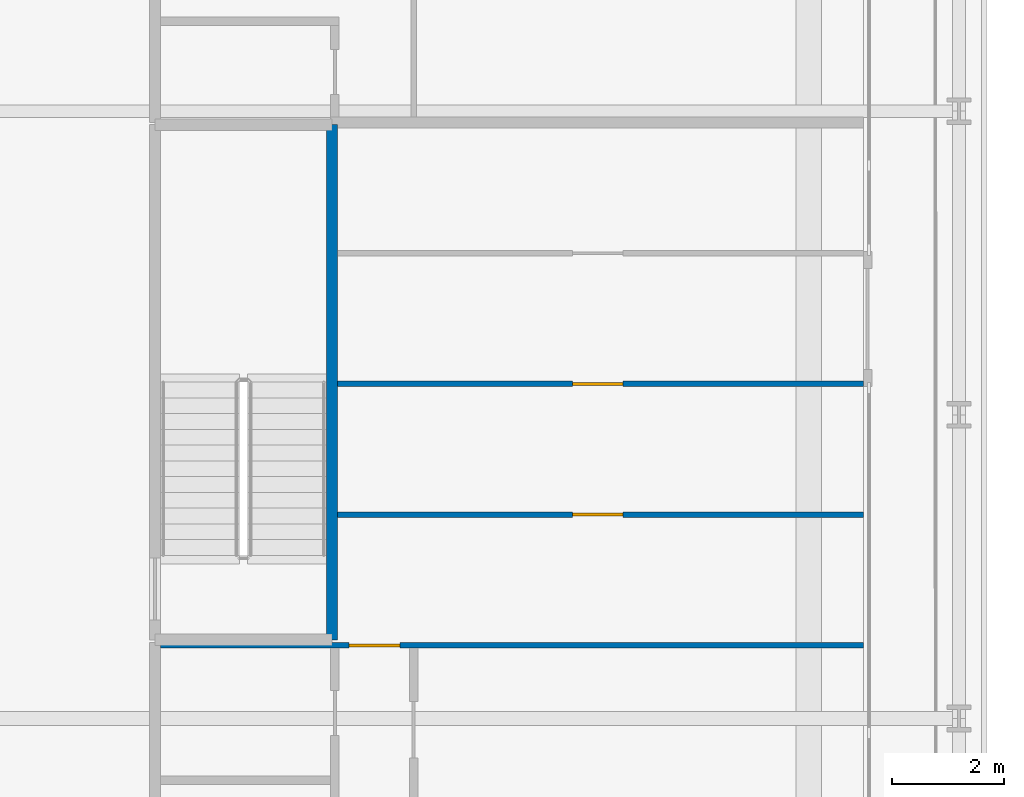
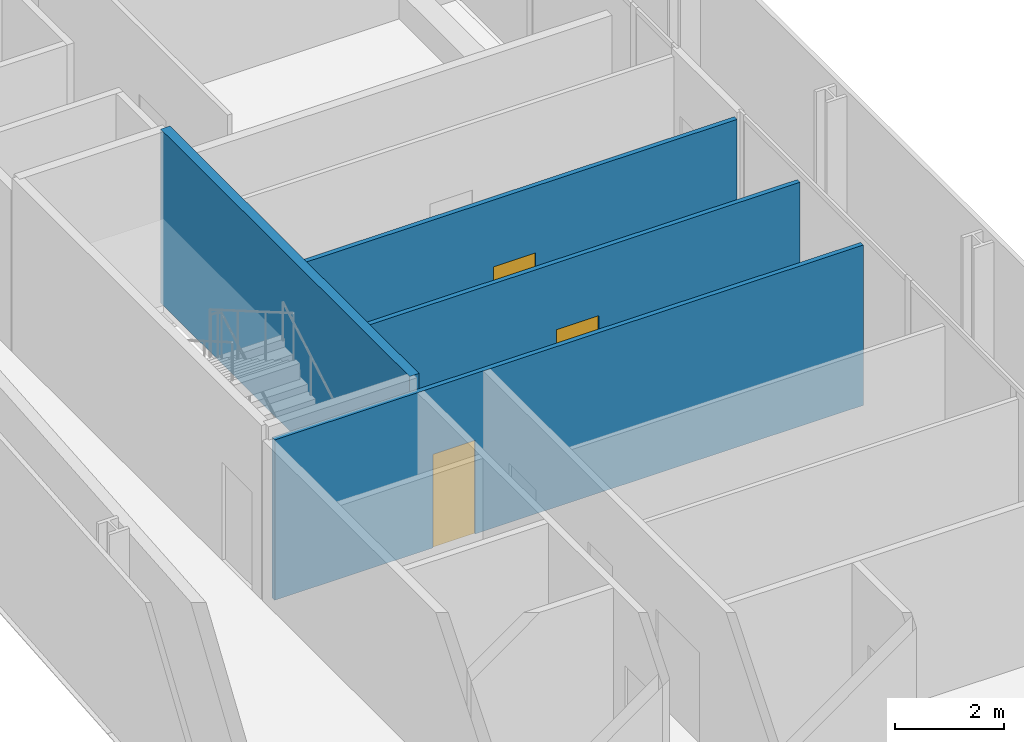
# One storey, part 18 of 28: 4 walls, 3 doors, 3 openings.
"""IFC4 building model written with IfcOpenShell, lengths in metres."""

from ifc_helpers import new_model, si_unit, direction, frame, frame_2d, origin, place, context, subcontext, project, spatial, rectangle, extrude, source, transform, mapped, material, layer, layer_set, type_object, element, fill, save


model = new_model("IFC4")

# Units and contexts
model_context = context("Model", 3, precision=1e-05, world=origin(), true_north=direction((0.0, 1.0)))
body_context = subcontext(model_context, "Body", "Model", "MODEL_VIEW")
ifc_project = project(units=[si_unit("LENGTHUNIT", "METRE"), si_unit("AREAUNIT", "SQUARE_METRE"), si_unit("VOLUMEUNIT", "CUBIC_METRE"), si_unit("PLANEANGLEUNIT", "RADIAN"), si_unit("MASSUNIT", "GRAM", prefix="KILO")], contexts=[model_context])

# Site, building, storey
site_placement = place(None, origin())
site = spatial("IfcSite", under=ifc_project, at=site_placement, CompositionType="ELEMENT")
building_placement = place(site_placement, origin())
building = spatial("IfcBuilding", under=site, at=building_placement, Name="Kheshtan School and Residences Tower", CompositionType="ELEMENT")
storey_placement = place(building_placement, frame((0.0, 0.0, 42.199951171875)))
storey = spatial("IfcBuildingStorey", under=building, at=storey_placement, Name="L09", CompositionType="ELEMENT", Elevation=42.199951171875)

# Wall, opening, door
ifc_material_1 = material(Name="Gypsum board on steel studs", Category="steel")
ifc_layer_1 = layer(ifc_material_1, 0.10009765625)
ifc_layer_set_1 = layer_set([ifc_layer_1], Name="Gypsum partition 100")
wall_type_1 = type_object("IfcWallType", Name="Gypsum partition 100", PredefinedType="PARTITIONING", material=ifc_layer_set_1)
wall_1_placement = place(storey_placement, frame((33.39990234375, 79.300048828125, 0.0), z_axis=(0.0, 0.0, 1.0), x_axis=(1.0, 0.0, 0.0)))
wall_1 = element("IfcWall", 1, at=wall_1_placement, inside=storey, type_object=wall_type_1, Name="Partition L09-016", PredefinedType="PARTITIONING", context=body_context, shape_type="SweptSolid", body=[
    extrude(rectangle(XDim=12.5, YDim=0.10009765625, at=frame_2d((6.25, 0.0))), origin(), (0.0, 0.0, 1.0), 3.60009765625),
])
opening_1_placement = place(wall_1_placement, frame((3.35498046875, 0.0, 0.0)))
opening_1 = element("IfcOpeningElement", 2, at=opening_1_placement, cuts=wall_1, Name="Opening D08-046", PredefinedType="OPENING", context=body_context, shape_type="SweptSolid", body=[
    extrude(rectangle(XDim=0.89990234375, YDim=2.10009765625, at=frame_2d((0.449951171875, 1.050048828125))), frame((0.0, 0.06005859375, 0.0), z_axis=(0.0, -1.0, 0.0), x_axis=(1.0, 0.0, 0.0)), (0.0, 0.0, 1.0), 0.1201171875),
])
ifc_material_2 = material(Name="Veneered timber door leaf", Category="wood")
door_type = type_object("IfcDoorType", Name="Door 900 x 2100", OperationType="SINGLE_SWING_LEFT", PredefinedType="DOOR", material=ifc_material_2)
shared_shape = source(origin(), body_context, "Body", "SweptSolid", [
    extrude(rectangle(XDim=0.89990234375, YDim=2.10009765625, at=frame_2d((0.449951171875, 1.050048828125))), frame((0.0, 0.02490234375, 0.0), z_axis=(0.0, -1.0, 0.0), x_axis=(1.0, 0.0, 0.0)), (0.0, 0.0, 1.0), 0.050048828125),
])
door_1_placement = place(opening_1_placement, origin())
door_1 = element("IfcDoor", 3, at=door_1_placement, inside=storey, type_object=door_type, Name="Door D08-046", OperationType="SINGLE_SWING_LEFT", OverallHeight=2.10009765625, OverallWidth=0.89990234375, PredefinedType="DOOR", context=body_context, shape_type="MappedRepresentation", body=[
    mapped(shared_shape, transform((0.0, 0.0, 0.0), x_axis=(1.0, 0.0, 0.0), y_axis=(0.0, 1.0, 0.0), z_axis=(0.0, 0.0, 1.0), scale=1.0)),
])
fill(opening_1, door_1)

wall_2_placement = place(storey_placement, frame((36.549072265625, 81.625, 0.0), z_axis=(0.0, 0.0, 1.0), x_axis=(1.0, 0.0, 0.0)))
wall_2 = element("IfcWall", 4, at=wall_2_placement, inside=storey, type_object=wall_type_1, Name="Partition L09-029", PredefinedType="PARTITIONING", context=body_context, shape_type="SweptSolid", body=[
    extrude(rectangle(XDim=9.350830078125, YDim=0.10009765625, at=frame_2d((4.67529296875, 0.0))), origin(), (0.0, 0.0, 1.0), 3.60009765625),
])
opening_2_placement = place(wall_2_placement, frame((4.176025390625, 0.0, 0.0)))
opening_2 = element("IfcOpeningElement", 5, at=opening_2_placement, cuts=wall_2, Name="Opening D08-047", PredefinedType="OPENING", context=body_context, shape_type="SweptSolid", body=[
    extrude(rectangle(XDim=0.89990234375, YDim=2.10009765625, at=frame_2d((0.449951171875, 1.050048828125))), frame((0.0, 0.06005859375, 0.0), z_axis=(0.0, -1.0, 0.0), x_axis=(1.0, 0.0, 0.0)), (0.0, 0.0, 1.0), 0.1201171875),
])
door_2_placement = place(opening_2_placement, origin())
door_2 = element("IfcDoor", 6, at=door_2_placement, inside=storey, type_object=door_type, Name="Door D08-047", OperationType="SINGLE_SWING_RIGHT", OverallHeight=2.10009765625, OverallWidth=0.89990234375, PredefinedType="DOOR", context=body_context, shape_type="MappedRepresentation", body=[
    mapped(shared_shape, transform((0.0, 0.0, 0.0), x_axis=(1.0, 0.0, 0.0), y_axis=(0.0, 1.0, 0.0), z_axis=(0.0, 0.0, 1.0), scale=1.0)),
])
fill(opening_2, door_2)

wall_3_placement = place(storey_placement, frame((36.549072265625, 83.949951171875, 0.0), z_axis=(0.0, 0.0, 1.0), x_axis=(1.0, 0.0, 0.0)))
wall_3 = element("IfcWall", 7, at=wall_3_placement, inside=storey, type_object=wall_type_1, Name="Partition L09-030", PredefinedType="PARTITIONING", context=body_context, shape_type="SweptSolid", body=[
    extrude(rectangle(XDim=9.350830078125, YDim=0.10009765625, at=frame_2d((4.67529296875, 0.0))), origin(), (0.0, 0.0, 1.0), 3.60009765625),
])
opening_3_placement = place(wall_3_placement, frame((4.176025390625, 0.0, 0.0)))
opening_3 = element("IfcOpeningElement", 8, at=opening_3_placement, cuts=wall_3, Name="Opening D08-048", PredefinedType="OPENING", context=body_context, shape_type="SweptSolid", body=[
    extrude(rectangle(XDim=0.89990234375, YDim=2.10009765625, at=frame_2d((0.449951171875, 1.050048828125))), frame((0.0, 0.06005859375, 0.0), z_axis=(0.0, -1.0, 0.0), x_axis=(1.0, 0.0, 0.0)), (0.0, 0.0, 1.0), 0.1201171875),
])
door_3_placement = place(opening_3_placement, origin())
door_3 = element("IfcDoor", 9, at=door_3_placement, inside=storey, type_object=door_type, Name="Door D08-048", OperationType="SINGLE_SWING_RIGHT", OverallHeight=2.10009765625, OverallWidth=0.89990234375, PredefinedType="DOOR", context=body_context, shape_type="MappedRepresentation", body=[
    mapped(shared_shape, transform((0.0, 0.0, 0.0), x_axis=(1.0, 0.0, 0.0), y_axis=(0.0, 1.0, 0.0), z_axis=(0.0, 0.0, 1.0), scale=1.0)),
])
fill(opening_3, door_3)

# Wall
ifc_material_3 = material(Name="Concrete C40/50", Category="concrete")
ifc_layer_2 = layer(ifc_material_3, 0.199951171875)
ifc_layer_set_2 = layer_set([ifc_layer_2], Name="Stair enclosure wall 200 Concrete C40/50")
wall_type_2 = type_object("IfcWallType", Name="Stair enclosure wall 200 Concrete C40/50", PredefinedType="SHEAR", material=ifc_layer_set_2)
wall_4_placement = place(storey_placement, frame((36.449951171875, 79.39990234375, 0.0), z_axis=(0.0, 0.0, 1.0), x_axis=(0.0, 1.0, 0.0)))
element("IfcWall", 10, at=wall_4_placement, inside=storey, type_object=wall_type_2, Name="Stair enclosure wall ST3", PredefinedType="SHEAR", context=body_context, shape_type="SweptSolid", body=[
    extrude(rectangle(XDim=9.16015625, YDim=0.199951171875, at=frame_2d((4.580078125, 0.0))), origin(), (0.0, 0.0, 1.0), 3.900146484375),
])

save(model, "model.ifc")
